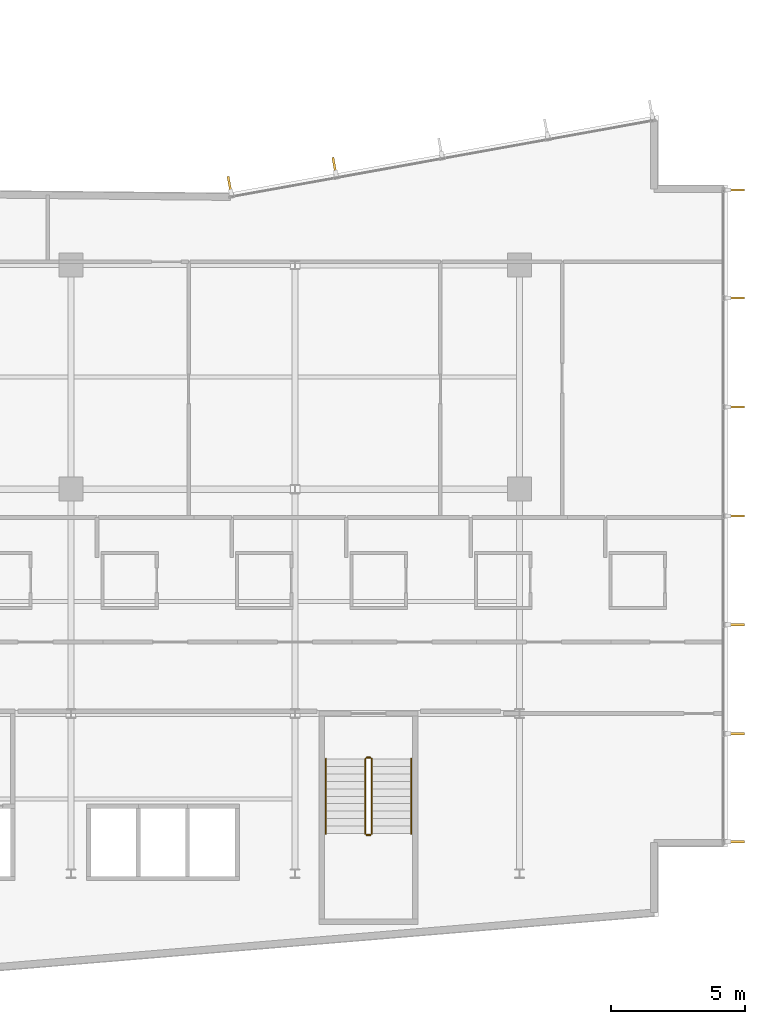
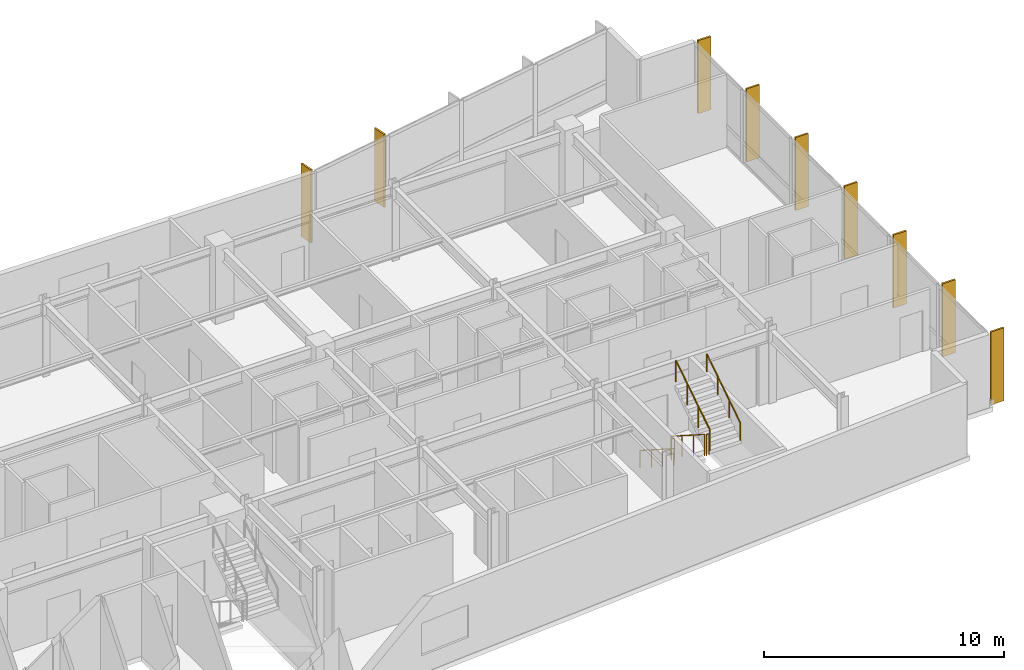
# One storey, part 18 of 20: 9 shading devices, 6 railings.
"""IFC4 building model written with IfcOpenShell, lengths in metres."""

from ifc_helpers import new_model, si_unit, direction, frame, origin, origin_2d, place, context, subcontext, project, spatial, rectangle, circle, extrude, material, layer, layer_set, type_object, element, save


model = new_model("IFC4")

# Units and contexts
model_context = context("Model", 3, precision=1e-05, world=origin(), true_north=direction((0.0, 1.0)))
body_context = subcontext(model_context, "Body", "Model", "MODEL_VIEW")
ifc_project = project(units=[si_unit("LENGTHUNIT", "METRE"), si_unit("AREAUNIT", "SQUARE_METRE"), si_unit("VOLUMEUNIT", "CUBIC_METRE"), si_unit("PLANEANGLEUNIT", "RADIAN"), si_unit("MASSUNIT", "GRAM", prefix="KILO")], contexts=[model_context])

# Site, building, storey
site_placement = place(None, origin())
site = spatial("IfcSite", under=ifc_project, at=site_placement, CompositionType="ELEMENT")
building_placement = place(site_placement, origin())
building = spatial("IfcBuilding", under=site, at=building_placement, Name="Varnakote Quay Hospital", CompositionType="ELEMENT")
storey_placement = place(building_placement, frame((0.0, 0.0, 58.050048828125)))
storey = spatial("IfcBuildingStorey", under=building, at=storey_placement, Name="L14", CompositionType="ELEMENT", Elevation=58.050048828125)

# Railings
ifc_material_1 = material(Name="Brushed stainless steel balustrade", Category="steel")
railing_type_1 = type_object("IfcRailingType", Name="RLG-STAIR-GUARD-1150", PredefinedType="GUARDRAIL", material=ifc_material_1)
railing_1_placement = place(storey_placement, frame((44.6298828125, 10.300048828125, 0.179443359375)))
element("IfcRailing", 1, at=railing_1_placement, inside=storey, type_object=railing_type_1, Name="L14 ST-03 stair guard 1", PredefinedType="GUARDRAIL", context=body_context, shape_type="SweptSolid", body=[
    extrude(circle(Radius=0.02392578125, at=origin_2d()), frame((0.0, 0.0, 1.076171875), z_axis=(0.0, -0.841809871826, 0.539774156196), x_axis=(1.0, 0.0, 0.0)), (0.0, 0.0, 1.0), 3.326171875),
    extrude(circle(Radius=0.02099609375, at=origin_2d()), origin(), (0.0, 0.0, 1.0), 1.052001953125),
    extrude(circle(Radius=0.02099609375, at=origin_2d()), frame((0.0, -0.933349609375, 0.598388671875)), (0.0, 0.0, 1.0), 1.052001953125),
    extrude(circle(Radius=0.02099609375, at=origin_2d()), frame((0.0, -1.86669921875, 1.197021484375)), (0.0, 0.0, 1.0), 1.052001953125),
    extrude(circle(Radius=0.02099609375, at=origin_2d()), frame((0.0, -2.800048828125, 1.79541015625)), (0.0, 0.0, 1.0), 1.052001953125),
])
railing_2_placement = place(storey_placement, frame((44.679931640625, 7.449951171875, 1.974853515625)))
element("IfcRailing", 2, at=railing_2_placement, inside=storey, type_object=railing_type_1, Name="L14 ST-03 stair guard 2", PredefinedType="GUARDRAIL", context=body_context, shape_type="SweptSolid", body=[
    extrude(circle(Radius=0.02392578125, at=origin_2d()), frame((0.0, 0.0, 1.076171875), z_axis=(1.0, 0.0, 0.0), x_axis=(0.0, 1.0, 0.0)), (0.0, 0.0, 1.0), 0.14013671875),
    extrude(circle(Radius=0.02099609375, at=origin_2d()), origin(), (0.0, 0.0, 1.0), 1.052001953125),
    extrude(circle(Radius=0.02099609375, at=origin_2d()), frame((0.14013671875, 0.0, 0.0)), (0.0, 0.0, 1.0), 1.052001953125),
])
railing_3_placement = place(storey_placement, frame((44.8701171875, 7.5, 2.154541015625)))
element("IfcRailing", 3, at=railing_3_placement, inside=storey, type_object=railing_type_1, Name="L14 ST-03 stair guard 3", PredefinedType="GUARDRAIL", context=body_context, shape_type="SweptSolid", body=[
    extrude(circle(Radius=0.02392578125, at=origin_2d()), frame((0.0, 0.0, 1.076171875), z_axis=(0.0, 0.841809871826, 0.539774156196), x_axis=(-1.0, 0.0, 0.0)), (0.0, 0.0, 1.0), 3.326171875),
    extrude(circle(Radius=0.02099609375, at=origin_2d()), origin(), (0.0, 0.0, 1.0), 1.052001953125),
    extrude(circle(Radius=0.02099609375, at=origin_2d()), frame((0.0, 0.933349609375, 0.598388671875)), (0.0, 0.0, 1.0), 1.052001953125),
    extrude(circle(Radius=0.02099609375, at=origin_2d()), frame((0.0, 1.86669921875, 1.197021484375)), (0.0, 0.0, 1.0), 1.052001953125),
    extrude(circle(Radius=0.02099609375, at=origin_2d()), frame((0.0, 2.800048828125, 1.79541015625)), (0.0, 0.0, 1.0), 1.052001953125),
])
railing_4_placement = place(storey_placement, frame((44.679931640625, 10.35009765625, 0.0)))
element("IfcRailing", 4, at=railing_4_placement, inside=storey, type_object=railing_type_1, Name="L14 ST-03 stair guard 4", PredefinedType="GUARDRAIL", context=body_context, shape_type="SweptSolid", body=[
    extrude(circle(Radius=0.02392578125, at=origin_2d()), frame((0.0, 0.0, 1.076171875), z_axis=(1.0, 0.0, 0.0), x_axis=(0.0, 1.0, 0.0)), (0.0, 0.0, 1.0), 0.14013671875),
    extrude(circle(Radius=0.02099609375, at=origin_2d()), origin(), (0.0, 0.0, 1.0), 1.052001953125),
    extrude(circle(Radius=0.02099609375, at=origin_2d()), frame((0.14013671875, 0.0, 0.0)), (0.0, 0.0, 1.0), 1.052001953125),
])
ifc_material_2 = material(Name="Brushed stainless steel handrail", Category="steel")
railing_type_2 = type_object("IfcRailingType", Name="RLG-STAIR-HND-920", PredefinedType="HANDRAIL", material=ifc_material_2)
railing_5_placement = place(storey_placement, frame((43.14990234375, 10.300048828125, 0.179443359375)))
element("IfcRailing", 5, at=railing_5_placement, inside=storey, type_object=railing_type_2, Name="L14 ST-03 stair handrail 1", PredefinedType="HANDRAIL", context=body_context, shape_type="SweptSolid", body=[
    extrude(circle(Radius=0.02392578125, at=origin_2d()), frame((0.0, 0.0, 0.8759765625), z_axis=(0.0, -0.841809871826, 0.539774156196), x_axis=(1.0, 0.0, 0.0)), (0.0, 0.0, 1.0), 3.326171875),
    extrude(circle(Radius=0.02099609375, at=origin_2d()), origin(), (0.0, 0.0, 1.0), 0.851806640625),
    extrude(circle(Radius=0.02099609375, at=origin_2d()), frame((0.0, -0.933349609375, 0.598388671875)), (0.0, 0.0, 1.0), 0.851806640625),
    extrude(circle(Radius=0.02099609375, at=origin_2d()), frame((0.0, -1.86669921875, 1.197021484375)), (0.0, 0.0, 1.0), 0.851806640625),
    extrude(circle(Radius=0.02099609375, at=origin_2d()), frame((0.0, -2.800048828125, 1.79541015625)), (0.0, 0.0, 1.0), 0.851806640625),
])
railing_6_placement = place(storey_placement, frame((46.35009765625, 7.5, 2.154541015625)))
element("IfcRailing", 6, at=railing_6_placement, inside=storey, type_object=railing_type_2, Name="L14 ST-03 stair handrail 2", PredefinedType="HANDRAIL", context=body_context, shape_type="SweptSolid", body=[
    extrude(circle(Radius=0.02392578125, at=origin_2d()), frame((0.0, 0.0, 0.8759765625), z_axis=(0.0, 0.841809871826, 0.539774156196), x_axis=(-1.0, 0.0, 0.0)), (0.0, 0.0, 1.0), 3.326171875),
    extrude(circle(Radius=0.02099609375, at=origin_2d()), origin(), (0.0, 0.0, 1.0), 0.851806640625),
    extrude(circle(Radius=0.02099609375, at=origin_2d()), frame((0.0, 0.933349609375, 0.598388671875)), (0.0, 0.0, 1.0), 0.851806640625),
    extrude(circle(Radius=0.02099609375, at=origin_2d()), frame((0.0, 1.86669921875, 1.197021484375)), (0.0, 0.0, 1.0), 0.851806640625),
    extrude(circle(Radius=0.02099609375, at=origin_2d()), frame((0.0, 2.800048828125, 1.79541015625)), (0.0, 0.0, 1.0), 0.851806640625),
])

# Shading devices
ifc_material_3 = material(Name="Anodised aluminium 6063-T6 Bronze", Category="aluminium")
ifc_layer = layer(ifc_material_3, 0.0849609375)
ifc_layer_set = layer_set([ifc_layer], Name="Anodised aluminium 6063-T6 Bronze")
shading_device_type = type_object("IfcShadingDeviceType", Name="SHD-BRONZE-FIN-620", PredefinedType="USERDEFINED", material=ifc_layer_set)
for number, where, z_axis, x_axis, name in (
    (7, (58.510009765625, 7.197509765625, 0.0), (0.0, 0.0, 1.0), (-1.0, 0.0, 0.0), "L14 Anodised Bronze Vertical Shading FIN"),
    (8, (58.510009765625, 11.239990234375, 0.0), (0.0, 0.0, 1.0), (-1.0, 0.0, 0.0), "L14 Anodised Bronze Vertical Shading FIN"),
    (9, (58.510009765625, 15.320068359375, 0.0), (0.0, 0.0, 1.0), (-1.0, 0.0, 0.0), "L14 Anodised Bronze Vertical Shading FIN"),
    (10, (58.510009765625, 19.39990234375, 0.0), (0.0, 0.0, 1.0), (-1.0, 0.0, 0.0), "L14 Anodised Bronze Vertical Shading FIN"),
    (11, (58.510009765625, 23.47998046875, 0.0), (0.0, 0.0, 1.0), (-1.0, 0.0, 0.0), "L14 Anodised Bronze Vertical Shading FIN"),
    (12, (58.510009765625, 27.56005859375, 0.0), (0.0, 0.0, 1.0), (-1.0, 0.0, 0.0), "L14 Anodised Bronze Vertical Shading FIN"),
    (13, (58.510009765625, 31.6025390625, 0.0), (0.0, 0.0, 1.0), (-1.0, 0.0, 0.0), "L14 Anodised Bronze Vertical Shading FIN"),
    (14, (43.468505859375, 32.522705078125, 0.0), (0.0, 0.0, 1.0), (0.177771795263, -0.984071739666, 0.0), "L14 Anodised Bronze Vertical Shading FIN"),
    (15, (39.54296875, 31.81298828125, 0.0), (0.0, 0.0, 1.0), (0.177771795263, -0.984071739666, 0.0), "L14 Anodised Bronze Vertical Shading FIN"),
):
    element("IfcShadingDevice", number, at=place(storey_placement, frame(where, z_axis=z_axis, x_axis=x_axis)), inside=storey, type_object=shading_device_type, Name=name, ObjectType="FIN", PredefinedType="USERDEFINED", context=body_context, shape_type="SweptSolid", body=[
        extrude(rectangle(XDim=0.6201171875, YDim=0.0849609375, at=origin_2d()), origin(), (0.0, 0.0, 1.0), 3.7099609375),
    ])

save(model, "model.ifc")
